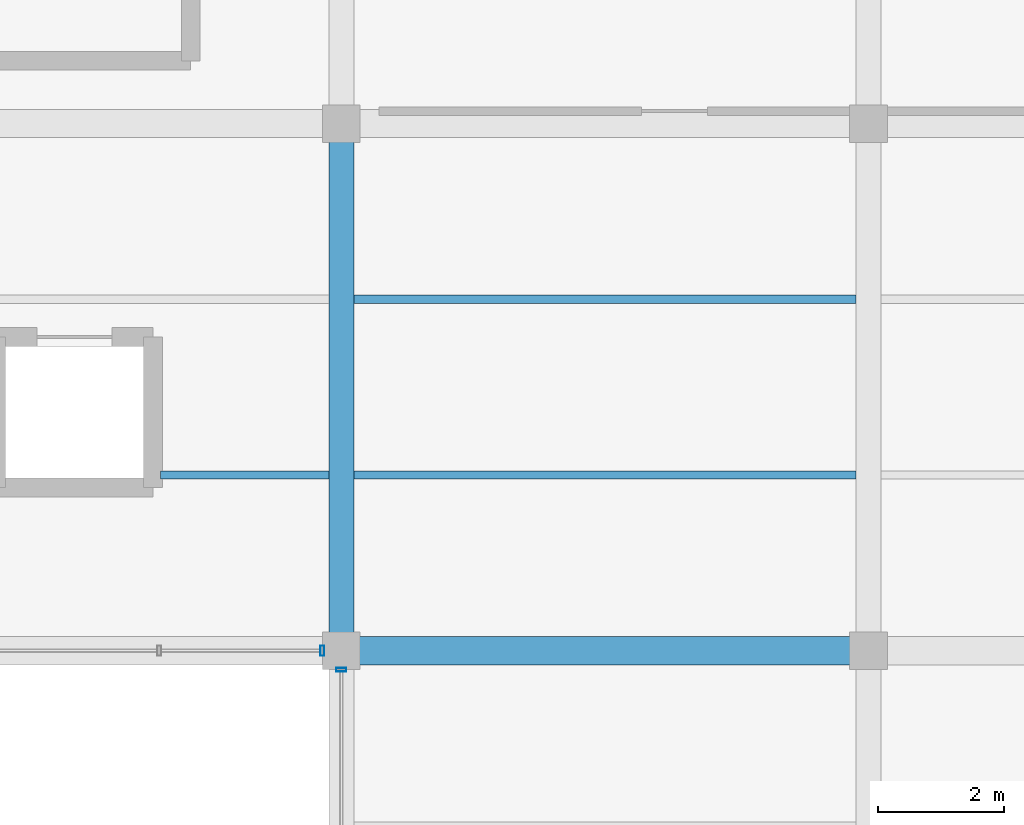
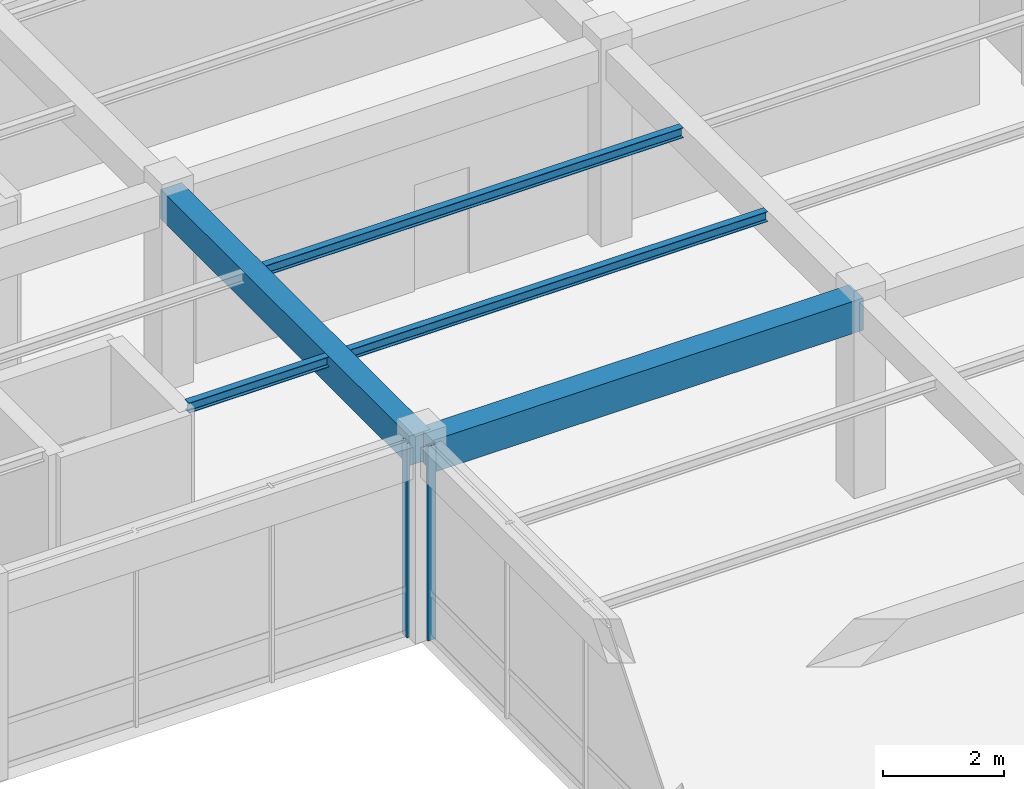
# One storey, part 20 of 114: 5 beams, 2 members, 2 elements without a shape of their own.
"""IFC4 building model written with IfcOpenShell, lengths in metres."""

from ifc_helpers import new_model, si_unit, direction, frame, origin, origin_2d, place, context, subcontext, project, spatial, rectangle, hollow_rectangle, i_section, extrude, material, material_profile, profile_set, type_object, element, aggregate, save


model = new_model("IFC4")

# Units and contexts
model_context = context("Model", 3, precision=1e-05, world=origin(), true_north=direction((0.0, 1.0)))
body_context = subcontext(model_context, "Body", "Model", "MODEL_VIEW")
ifc_project = project(units=[si_unit("LENGTHUNIT", "METRE"), si_unit("AREAUNIT", "SQUARE_METRE"), si_unit("VOLUMEUNIT", "CUBIC_METRE"), si_unit("PLANEANGLEUNIT", "RADIAN"), si_unit("MASSUNIT", "GRAM", prefix="KILO"), si_unit("THERMODYNAMICTEMPERATUREUNIT", "KELVIN"), si_unit("POWERUNIT", "WATT")], contexts=[model_context])

# Site, building, storey
site_placement = place(None, origin())
site = spatial("IfcSite", under=ifc_project, at=site_placement, CompositionType="ELEMENT")
building_placement = place(site_placement, origin())
building = spatial("IfcBuilding", under=site, at=building_placement, Name="Darbajah Civic Hall", CompositionType="ELEMENT")
storey_placement = place(building_placement, frame((0.0, 0.0, 13.800048828125)))
storey = spatial("IfcBuildingStorey", under=building, at=storey_placement, Name="L03", CompositionType="ELEMENT", Elevation=13.800048828125)

# Curtain wall, member
ifc_material_1 = material(Name="Anodised Bronze Aluminium and Low-E Glazing", Category="aluminium")
curtain_wall_type = type_object("IfcCurtainWallType", Name="Unitised Curtain Wall CW-100 7800x3950", PredefinedType="USERDEFINED", material=ifc_material_1)
curtain_wall_1_placement = place(storey_placement, origin())
curtain_wall_1 = element("IfcCurtainWall", 1, at=curtain_wall_1_placement, inside=storey, type_object=curtain_wall_type, Name="L03 unitised curtain wall CW-V5-L03-S2-B3", ObjectType="UNITISED CURTAIN WALL", PredefinedType="USERDEFINED")
ifc_material_2 = material(Name="Anodised Bronze Aluminium", Category="aluminium")
ifc_material_profile_1 = material_profile(ifc_material_2, hollow_rectangle(XDim=0.06005859375, YDim=0.159912109375, WallThickness=0.00341796875, at=origin_2d()), Name="ALU MULLION 60x160")
ifc_profile_set_1 = profile_set([ifc_material_profile_1], Name="Anodised Bronze Aluminium")
member_type = type_object("IfcMemberType", Name="ALU MULLION 60x160", PredefinedType="MULLION", material=ifc_profile_set_1)
member_1_placement = place(storey_placement, frame((50.097900390625, 16.800048828125, 0.0), z_axis=(0.0, 0.0, 1.0), x_axis=(1.0, 0.0, 0.0)))
member_1 = element("IfcMember", 2, at=member_1_placement, type_object=member_type, Name="CW-V5-L03-S2-B3 mullion 4", PredefinedType="MULLION", context=body_context, shape_type="SweptSolid", body=[
    extrude(hollow_rectangle(XDim=0.06005859375, YDim=0.159912109375, WallThickness=0.00341796875, at=origin_2d()), origin(), (0.0, 0.0, 1.0), 3.93994140625),
])
aggregate(curtain_wall_1, [member_1])

curtain_wall_2_placement = place(storey_placement, origin())
curtain_wall_2 = element("IfcCurtainWall", 3, at=curtain_wall_2_placement, inside=storey, type_object=curtain_wall_type, Name="L03 unitised curtain wall CW-V5-L03-S3-B0", ObjectType="UNITISED CURTAIN WALL", PredefinedType="USERDEFINED")
member_2_placement = place(storey_placement, frame((50.39990234375, 16.498046875, 0.0), z_axis=(0.0, 0.0, 1.0), x_axis=(0.0, -1.0, 0.0)))
member_2 = element("IfcMember", 4, at=member_2_placement, type_object=member_type, Name="CW-V5-L03-S3-B0 mullion 1", PredefinedType="MULLION", context=body_context, shape_type="SweptSolid", body=[
    extrude(hollow_rectangle(XDim=0.06005859375, YDim=0.159912109375, WallThickness=0.00341796875, at=origin_2d()), origin(), (0.0, 0.0, 1.0), 3.93994140625),
])
aggregate(curtain_wall_2, [member_2])

# Beams
ifc_material_3 = material(Name="Concrete C45/55", Category="concrete")
ifc_material_profile_2 = material_profile(ifc_material_3, rectangle(XDim=0.39990234375, YDim=0.60009765625, at=origin_2d()), Name="RC BEAM 400x600")
ifc_profile_set_2 = profile_set([ifc_material_profile_2], Name="Concrete C45/55")
beam_type_1 = type_object("IfcBeamType", Name="RC BEAM 400x600", PredefinedType="BEAM", material=ifc_profile_set_2)
beam_1_placement = place(storey_placement, frame((50.39990234375, 16.8798828125, 3.639892578125), z_axis=(0.0, 1.0, 0.0), x_axis=(-1.0, 0.0, 0.0)))
element("IfcBeam", 5, at=beam_1_placement, inside=storey, type_object=beam_type_1, Name="L03 beam BM-4060", PredefinedType="BEAM", context=body_context, shape_type="SweptSolid", body=[
    extrude(rectangle(XDim=0.39990234375, YDim=0.60009765625, at=origin_2d()), origin(), (0.0, 0.0, 1.0), 8.240234375),
])
ifc_material_profile_3 = material_profile(ifc_material_3, rectangle(XDim=0.449951171875, YDim=0.64990234375, at=origin_2d()), Name="RC BEAM 450x650")
ifc_profile_set_3 = profile_set([ifc_material_profile_3], Name="Concrete C45/55")
beam_type_2 = type_object("IfcBeamType", Name="RC BEAM 450x650", PredefinedType="BEAM", material=ifc_profile_set_3)
beam_2_placement = place(storey_placement, frame((50.47998046875, 16.800048828125, 3.614990234375), z_axis=(1.0, 0.0, 0.0), x_axis=(0.0, 1.0, 0.0)))
element("IfcBeam", 6, at=beam_2_placement, inside=storey, type_object=beam_type_2, Name="L03 beam BM-4565", PredefinedType="BEAM", context=body_context, shape_type="SweptSolid", body=[
    extrude(rectangle(XDim=0.449951171875, YDim=0.64990234375, at=origin_2d()), origin(), (0.0, 0.0, 1.0), 8.239990234375),
])
ifc_material_4 = material(Name="Steel S355JR", Category="steel")
ifc_material_profile_4 = material_profile(ifc_material_4, i_section(OverallWidth=0.1337890625, OverallDepth=0.206787109375, WebThickness=0.00634765625, FlangeThickness=0.009521484375, FilletRadius=0.007568359375, at=origin_2d()), Name="UB 203x133x30")
ifc_profile_set_4 = profile_set([ifc_material_profile_4], Name="Steel S355JR")
beam_type_3 = type_object("IfcBeamType", Name="UB 203x133x30", PredefinedType="JOIST", material=ifc_profile_set_4)
beam_3_placement = place(storey_placement, frame((47.52001953125, 19.60009765625, 3.836669921875), z_axis=(1.0, 0.0, 0.0), x_axis=(0.0, 1.0, 0.0)))
element("IfcBeam", 7, at=beam_3_placement, inside=storey, type_object=beam_type_3, Name="L03 beam SJ-203", PredefinedType="JOIST", context=body_context, shape_type="SweptSolid", body=[
    extrude(i_section(OverallWidth=0.1337890625, OverallDepth=0.206787109375, WebThickness=0.00634765625, FlangeThickness=0.009521484375, FilletRadius=0.007568359375, at=origin_2d()), origin(), (0.0, 0.0, 1.0), 2.679931640625),
])
for number, where, z_axis, x_axis, name in (
    (8, (50.60009765625, 19.60009765625, 3.836669921875), (1.0, 0.0, 0.0), (0.0, 1.0, 0.0), "L03 beam SJ-203"),
    (9, (50.60009765625, 22.39990234375, 3.836669921875), (1.0, 0.0, 0.0), (0.0, 1.0, 0.0), "L03 beam SJ-203"),
):
    element("IfcBeam", number, at=place(storey_placement, frame(where, z_axis=z_axis, x_axis=x_axis)), inside=storey, type_object=beam_type_3, Name=name, PredefinedType="JOIST", context=body_context, shape_type="SweptSolid", body=[
        extrude(i_section(OverallWidth=0.1337890625, OverallDepth=0.206787109375, WebThickness=0.00634765625, FlangeThickness=0.009521484375, FilletRadius=0.007568359375, at=origin_2d()), origin(), (0.0, 0.0, 1.0), 8.0),
    ])

save(model, "model.ifc")
